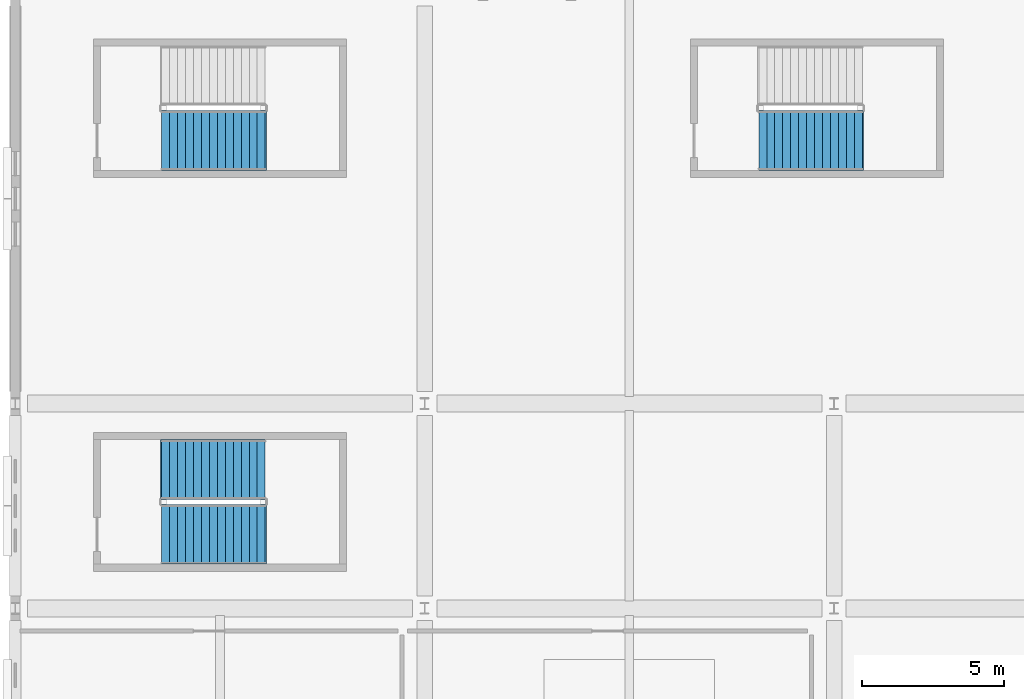
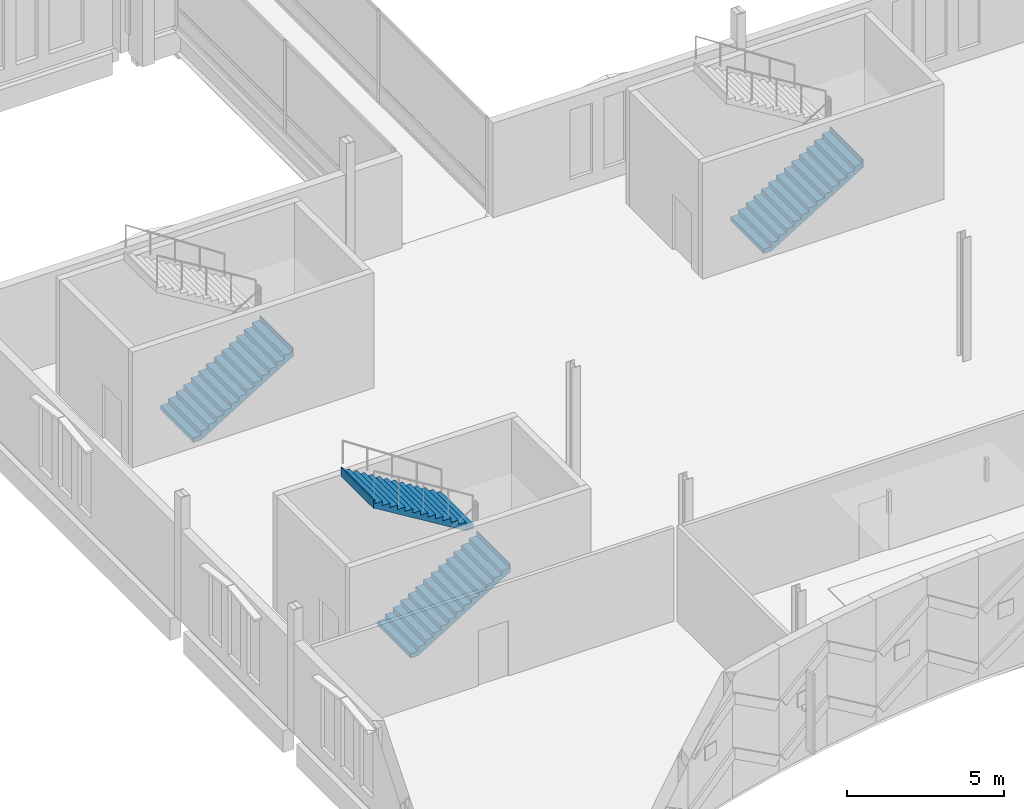
# One storey, part 184 of 220: 4 stair flights, 3 elements without a shape of their own.
"""IFC4 building model written with IfcOpenShell, lengths in metres."""

from ifc_helpers import new_model, si_unit, direction, frame, origin, place, context, subcontext, project, spatial, triangles, material, type_object, element, aggregate, save


model = new_model("IFC4")

# Units and contexts
model_context = context("Model", 3, precision=1e-05, world=origin(), true_north=direction((0.0, 1.0)))
body_context = subcontext(model_context, "Body", "Model", "MODEL_VIEW")
ifc_project = project(units=[si_unit("LENGTHUNIT", "METRE"), si_unit("AREAUNIT", "SQUARE_METRE"), si_unit("VOLUMEUNIT", "CUBIC_METRE"), si_unit("PLANEANGLEUNIT", "RADIAN"), si_unit("MASSUNIT", "GRAM", prefix="KILO")], contexts=[model_context])

# Site, building, storey
site_placement = place(None, origin())
site = spatial("IfcSite", under=ifc_project, at=site_placement, CompositionType="ELEMENT")
building_placement = place(site_placement, origin())
building = spatial("IfcBuilding", under=site, at=building_placement, Name="Cendralis Lancet Convention Centre", CompositionType="ELEMENT")
storey_placement = place(building_placement, frame((0.0, 0.0, 5.39990234375)))
storey = spatial("IfcBuildingStorey", under=building, at=storey_placement, Name="L01", CompositionType="ELEMENT", Elevation=5.39990234375)

# Stair, stair flight
ifc_material = material(Name="Concrete G35 (C35/45)", Category="concrete")
stair_type = type_object("IfcStairType", Name="ARC-ST-CORE", PredefinedType="HALF_TURN_STAIR", material=ifc_material)
stair_1_placement = place(storey_placement, origin())
stair_1 = element("IfcStair", 1, at=stair_1_placement, inside=storey, type_object=stair_type, Name="L01 Protected Exit Stair ST-11", PredefinedType="HALF_TURN_STAIR")
stair_flight_type = type_object("IfcStairFlightType", Name="ARC-SF-CORE", PredefinedType="STRAIGHT", material=ifc_material)
stair_flight_1_placement = place(storey_placement, frame((26.14990234375, 30.85009765625, 0.0), z_axis=(0.0, 0.0, 1.0), x_axis=(1.0, 0.0, 0.0)))
stair_flight_1 = element("IfcStairFlight", 2, at=stair_flight_1_placement, type_object=stair_flight_type, Name="ST-11 flight 1", NumberOfRisers=14, NumberOfTreads=13, PredefinedType="STRAIGHT", RiserHeight=0.171428571, TreadLength=0.28, context=body_context, shape_type="Tessellation", body=[
    triangles([(0.0, 0.0, 0.085714), (0.0, 1.050049, 0.0), (0.0, -1.050049, 0.0), (0.0, -1.050049, 0.171429), (0.0, 1.050049, 0.171429), (0.14, 0.0, 0.171429), (0.28, -1.050049, 0.171429), (0.28, 1.050049, 0.171429), (0.14, 0.0, 0.0), (0.28, -1.050049, 0.0), (0.28, 1.050049, 0.0), (0.28, 0.0, 0.257143), (0.28, -1.050049, 0.342857), (0.28, 1.050049, 0.342857), (0.283543, 0.0, 0.342857), (0.287085, -1.050049, 0.342857), (0.287085, 1.050049, 0.342857), (0.283543, 0.0, 0.0), (0.287085, -1.050049, 0.0), (0.287085, 1.050049, 0.0), (0.423543, 0.0, 0.342857), (0.56, -1.050049, 0.342857), (0.56, 1.050049, 0.342857), (0.423543, 0.0, 0.083545), (0.56, -1.050049, 0.167091), (0.56, 1.050049, 0.167091), (0.56, 0.0, 0.428572), (0.56, -1.050049, 0.514286), (0.56, 1.050049, 0.514286), (0.7, 0.0, 0.514286), (0.84, -1.050049, 0.514286), (0.84, 1.050049, 0.514286), (0.7, 0.0, 0.252806), (0.84, -1.050049, 0.33852), (0.84, 1.050049, 0.33852), (0.84, 0.0, 0.6), (0.84, -1.050049, 0.685714), (0.84, 1.050049, 0.685714), (0.98, 0.0, 0.685714), (1.12, -1.050049, 0.685714), (1.12, 1.050049, 0.685714), (0.98, 0.0, 0.424234), (1.12, -1.050049, 0.509948), (1.12, 1.050049, 0.509948), (1.12, 0.0, 0.771429), (1.12, -1.050049, 0.857143), (1.12, 1.050049, 0.857143), (1.26, 0.0, 0.857143), (1.4, -1.050049, 0.857143), (1.4, 1.050049, 0.857143), (1.26, 0.0, 0.595662), (1.4, -1.050049, 0.681377), (1.4, 1.050049, 0.681377), (1.4, 0.0, 0.942857), (1.4, -1.050049, 1.028571), (1.4, 1.050049, 1.028571), (1.54, 0.0, 1.028571), (1.68, -1.050049, 1.028571), (1.68, 1.050049, 1.028571), (1.54, 0.0, 0.767091), (1.68, -1.050049, 0.852805), (1.68, 1.050049, 0.852805), (1.68, 0.0, 1.114286), (1.68, -1.050049, 1.2), (1.68, 1.050049, 1.2), (1.82, 0.0, 1.2), (1.96, -1.050049, 1.2), (1.96, 1.050049, 1.2), (1.82, 0.0, 0.938519), (1.96, -1.050049, 1.024234), (1.96, 1.050049, 1.024234), (1.96, 0.0, 1.285715), (1.96, -1.050049, 1.371429), (1.96, 1.050049, 1.371429), (2.1, 0.0, 1.371429), (2.24, -1.050049, 1.371429), (2.24, 1.050049, 1.371429), (2.1, 0.0, 1.109948), (2.24, -1.050049, 1.195662), (2.24, 1.050049, 1.195662), (2.24, 0.0, 1.457143), (2.24, -1.050049, 1.542857), (2.24, 1.050049, 1.542857), (2.38, 0.0, 1.542857), (2.52, -1.050049, 1.542857), (2.52, 1.050049, 1.542857), (2.38, 0.0, 1.281376), (2.52, -1.050049, 1.367091), (2.52, 1.050049, 1.367091), (2.52, 0.0, 1.628572), (2.52, -1.050049, 1.714286), (2.52, 1.050049, 1.714286), (2.66, 0.0, 1.714286), (2.8, -1.050049, 1.714286), (2.8, 1.050049, 1.714286), (2.66, 0.0, 1.452806), (2.8, -1.050049, 1.53852), (2.8, 1.050049, 1.53852), (2.8, 0.0, 1.8), (2.8, -1.050049, 1.885714), (2.8, 1.050049, 1.885714), (2.94, 0.0, 1.885714), (3.08, -1.050049, 1.885714), (3.08, 1.050049, 1.885714), (2.94, 0.0, 1.624234), (3.08, -1.050049, 1.709948), (3.08, 1.050049, 1.709948), (3.08, 0.0, 1.971429), (3.08, -1.050049, 2.057143), (3.08, 1.050049, 2.057143), (3.22, 0.0, 2.057143), (3.36, -1.050049, 2.057143), (3.36, 1.050049, 2.057143), (3.22, 0.0, 1.795663), (3.36, -1.050049, 1.881377), (3.36, 1.050049, 1.881377), (3.36, 0.0, 2.142857), (3.36, -1.050049, 2.228571), (3.36, 1.050049, 2.228571), (3.5, 0.0, 2.228571), (3.64, -1.050049, 2.228571), (3.64, 1.050049, 2.228571), (3.5, 0.0, 1.967091), (3.64, -1.050049, 2.052805), (3.64, 1.050049, 2.052805), (3.64, 0.0, 2.314285), (3.64, -1.050049, 2.4), (3.64, 1.050049, 2.4), (3.66, 0.0, 2.4), (3.68, -1.050049, 2.4), (3.68, 1.050049, 2.4), (3.66, 0.0, 2.052805), (3.68, -1.050049, 2.052805), (3.68, 1.050049, 2.052805), (3.68, 0.0, 2.226403)], [[2, 3, 1], [3, 4, 1], [4, 5, 1], [5, 2, 1], [4, 7, 6], [7, 8, 6], [8, 5, 6], [5, 4, 6], [10, 3, 9], [3, 2, 9], [2, 11, 9], [11, 10, 9], [3, 10, 7], [3, 7, 4], [2, 8, 11], [2, 5, 8], [8, 7, 12], [7, 13, 12], [13, 14, 12], [14, 8, 12], [13, 16, 15], [16, 17, 15], [17, 14, 15], [14, 13, 15], [19, 10, 18], [10, 11, 18], [11, 20, 18], [20, 19, 18], [10, 19, 16], [10, 16, 7], [7, 16, 13], [11, 17, 20], [11, 8, 17], [8, 14, 17], [16, 22, 21], [22, 23, 21], [23, 17, 21], [17, 16, 21], [25, 19, 24], [19, 20, 24], [20, 26, 24], [26, 25, 24], [19, 25, 22], [19, 22, 16], [20, 23, 26], [20, 17, 23], [23, 22, 27], [22, 28, 27], [28, 29, 27], [29, 23, 27], [28, 31, 30], [31, 32, 30], [32, 29, 30], [29, 28, 30], [34, 25, 33], [25, 26, 33], [26, 35, 33], [35, 34, 33], [25, 34, 31], [25, 31, 22], [22, 31, 28], [26, 32, 35], [26, 23, 32], [23, 29, 32], [32, 31, 36], [31, 37, 36], [37, 38, 36], [38, 32, 36], [37, 40, 39], [40, 41, 39], [41, 38, 39], [38, 37, 39], [43, 34, 42], [34, 35, 42], [35, 44, 42], [44, 43, 42], [34, 43, 40], [34, 40, 31], [31, 40, 37], [35, 41, 44], [35, 32, 41], [32, 38, 41], [41, 40, 45], [40, 46, 45], [46, 47, 45], [47, 41, 45], [46, 49, 48], [49, 50, 48], [50, 47, 48], [47, 46, 48], [52, 43, 51], [43, 44, 51], [44, 53, 51], [53, 52, 51], [43, 52, 49], [43, 49, 40], [40, 49, 46], [44, 50, 53], [44, 41, 50], [41, 47, 50], [50, 49, 54], [49, 55, 54], [55, 56, 54], [56, 50, 54], [55, 58, 57], [58, 59, 57], [59, 56, 57], [56, 55, 57], [61, 52, 60], [52, 53, 60], [53, 62, 60], [62, 61, 60], [52, 61, 58], [52, 58, 49], [49, 58, 55], [53, 59, 62], [53, 50, 59], [50, 56, 59], [59, 58, 63], [58, 64, 63], [64, 65, 63], [65, 59, 63], [64, 67, 66], [67, 68, 66], [68, 65, 66], [65, 64, 66], [70, 61, 69], [61, 62, 69], [62, 71, 69], [71, 70, 69], [61, 70, 67], [61, 67, 58], [58, 67, 64], [62, 68, 71], [62, 59, 68], [59, 65, 68], [68, 67, 72], [67, 73, 72], [73, 74, 72], [74, 68, 72], [73, 76, 75], [76, 77, 75], [77, 74, 75], [74, 73, 75], [79, 70, 78], [70, 71, 78], [71, 80, 78], [80, 79, 78], [70, 79, 76], [70, 76, 67], [67, 76, 73], [71, 77, 80], [71, 68, 77], [68, 74, 77], [77, 76, 81], [76, 82, 81], [82, 83, 81], [83, 77, 81], [82, 85, 84], [85, 86, 84], [86, 83, 84], [83, 82, 84], [88, 79, 87], [79, 80, 87], [80, 89, 87], [89, 88, 87], [79, 88, 85], [79, 85, 76], [76, 85, 82], [80, 86, 89], [80, 77, 86], [77, 83, 86], [86, 85, 90], [85, 91, 90], [91, 92, 90], [92, 86, 90], [91, 94, 93], [94, 95, 93], [95, 92, 93], [92, 91, 93], [97, 88, 96], [88, 89, 96], [89, 98, 96], [98, 97, 96], [88, 97, 94], [88, 94, 85], [85, 94, 91], [89, 95, 98], [89, 86, 95], [86, 92, 95], [95, 94, 99], [94, 100, 99], [100, 101, 99], [101, 95, 99], [100, 103, 102], [103, 104, 102], [104, 101, 102], [101, 100, 102], [106, 97, 105], [97, 98, 105], [98, 107, 105], [107, 106, 105], [97, 106, 103], [97, 103, 94], [94, 103, 100], [98, 104, 107], [98, 95, 104], [95, 101, 104], [104, 103, 108], [103, 109, 108], [109, 110, 108], [110, 104, 108], [109, 112, 111], [112, 113, 111], [113, 110, 111], [110, 109, 111], [115, 106, 114], [106, 107, 114], [107, 116, 114], [116, 115, 114], [106, 115, 112], [106, 112, 103], [103, 112, 109], [107, 113, 116], [107, 104, 113], [104, 110, 113], [113, 112, 117], [112, 118, 117], [118, 119, 117], [119, 113, 117], [118, 121, 120], [121, 122, 120], [122, 119, 120], [119, 118, 120], [124, 115, 123], [115, 116, 123], [116, 125, 123], [125, 124, 123], [115, 124, 121], [115, 121, 112], [112, 121, 118], [116, 122, 125], [116, 113, 122], [113, 119, 122], [122, 121, 126], [121, 127, 126], [127, 128, 126], [128, 122, 126], [127, 130, 129], [130, 131, 129], [131, 128, 129], [128, 127, 129], [133, 124, 132], [124, 125, 132], [125, 134, 132], [134, 133, 132], [124, 133, 130], [124, 130, 121], [121, 130, 127], [125, 131, 134], [125, 122, 131], [122, 128, 131], [133, 134, 135], [134, 131, 135], [131, 130, 135], [130, 133, 135]], closed=True),
])
aggregate(stair_1, [stair_flight_1])

# Stair, stair flights
stair_2_placement = place(storey_placement, origin())
stair_2 = element("IfcStair", 3, at=stair_2_placement, inside=storey, type_object=stair_type, Name="L01 Protected Exit Stair ST-17", PredefinedType="HALF_TURN_STAIR")
stair_flight_2_placement = place(storey_placement, frame((5.14990234375, 17.0, 0.0), z_axis=(0.0, 0.0, 1.0), x_axis=(1.0, 0.0, 0.0)))
stair_flight_2 = element("IfcStairFlight", 4, at=stair_flight_2_placement, type_object=stair_flight_type, Name="ST-17 flight 1", NumberOfRisers=14, NumberOfTreads=13, PredefinedType="STRAIGHT", RiserHeight=0.171428571, TreadLength=0.28, context=body_context, shape_type="Tessellation", body=[
    triangles([(0.0, 0.0, 0.085714), (0.0, 1.050049, 0.0), (0.0, -1.050049, 0.0), (0.0, -1.050049, 0.171429), (0.0, 1.050049, 0.171429), (0.14, 0.0, 0.171429), (0.28, -1.050049, 0.171429), (0.28, 1.050049, 0.171429), (0.14, 0.0, 0.0), (0.28, -1.050049, 0.0), (0.28, 1.050049, 0.0), (0.28, 0.0, 0.257143), (0.28, -1.050049, 0.342857), (0.28, 1.050049, 0.342857), (0.283543, 0.0, 0.342857), (0.287085, -1.050049, 0.342857), (0.287085, 1.050049, 0.342857), (0.283543, 0.0, 0.0), (0.287085, -1.050049, 0.0), (0.287085, 1.050049, 0.0), (0.423543, 0.0, 0.342857), (0.56, -1.050049, 0.342857), (0.56, 1.050049, 0.342857), (0.423543, 0.0, 0.083545), (0.56, -1.050049, 0.167091), (0.56, 1.050049, 0.167091), (0.56, 0.0, 0.428572), (0.56, -1.050049, 0.514286), (0.56, 1.050049, 0.514286), (0.7, 0.0, 0.514286), (0.84, -1.050049, 0.514286), (0.84, 1.050049, 0.514286), (0.7, 0.0, 0.252806), (0.84, -1.050049, 0.33852), (0.84, 1.050049, 0.33852), (0.84, 0.0, 0.6), (0.84, -1.050049, 0.685714), (0.84, 1.050049, 0.685714), (0.98, 0.0, 0.685714), (1.12, -1.050049, 0.685714), (1.12, 1.050049, 0.685714), (0.98, 0.0, 0.424234), (1.12, -1.050049, 0.509948), (1.12, 1.050049, 0.509948), (1.12, 0.0, 0.771429), (1.12, -1.050049, 0.857143), (1.12, 1.050049, 0.857143), (1.26, 0.0, 0.857143), (1.4, -1.050049, 0.857143), (1.4, 1.050049, 0.857143), (1.26, 0.0, 0.595662), (1.4, -1.050049, 0.681377), (1.4, 1.050049, 0.681377), (1.4, 0.0, 0.942857), (1.4, -1.050049, 1.028571), (1.4, 1.050049, 1.028571), (1.54, 0.0, 1.028571), (1.68, -1.050049, 1.028571), (1.68, 1.050049, 1.028571), (1.54, 0.0, 0.767091), (1.68, -1.050049, 0.852805), (1.68, 1.050049, 0.852805), (1.68, 0.0, 1.114286), (1.68, -1.050049, 1.2), (1.68, 1.050049, 1.2), (1.82, 0.0, 1.2), (1.96, -1.050049, 1.2), (1.96, 1.050049, 1.2), (1.82, 0.0, 0.938519), (1.96, -1.050049, 1.024234), (1.96, 1.050049, 1.024234), (1.96, 0.0, 1.285715), (1.96, -1.050049, 1.371429), (1.96, 1.050049, 1.371429), (2.1, 0.0, 1.371429), (2.24, -1.050049, 1.371429), (2.24, 1.050049, 1.371429), (2.1, 0.0, 1.109948), (2.24, -1.050049, 1.195662), (2.24, 1.050049, 1.195662), (2.24, 0.0, 1.457143), (2.24, -1.050049, 1.542857), (2.24, 1.050049, 1.542857), (2.38, 0.0, 1.542857), (2.52, -1.050049, 1.542857), (2.52, 1.050049, 1.542857), (2.38, 0.0, 1.281376), (2.52, -1.050049, 1.367091), (2.52, 1.050049, 1.367091), (2.52, 0.0, 1.628572), (2.52, -1.050049, 1.714286), (2.52, 1.050049, 1.714286), (2.66, 0.0, 1.714286), (2.8, -1.050049, 1.714286), (2.8, 1.050049, 1.714286), (2.66, 0.0, 1.452806), (2.8, -1.050049, 1.53852), (2.8, 1.050049, 1.53852), (2.8, 0.0, 1.8), (2.8, -1.050049, 1.885714), (2.8, 1.050049, 1.885714), (2.94, 0.0, 1.885714), (3.08, -1.050049, 1.885714), (3.08, 1.050049, 1.885714), (2.94, 0.0, 1.624234), (3.08, -1.050049, 1.709948), (3.08, 1.050049, 1.709948), (3.08, 0.0, 1.971429), (3.08, -1.050049, 2.057143), (3.08, 1.050049, 2.057143), (3.22, 0.0, 2.057143), (3.36, -1.050049, 2.057143), (3.36, 1.050049, 2.057143), (3.22, 0.0, 1.795663), (3.36, -1.050049, 1.881377), (3.36, 1.050049, 1.881377), (3.36, 0.0, 2.142857), (3.36, -1.050049, 2.228571), (3.36, 1.050049, 2.228571), (3.5, 0.0, 2.228571), (3.64, -1.050049, 2.228571), (3.64, 1.050049, 2.228571), (3.5, 0.0, 1.967091), (3.64, -1.050049, 2.052805), (3.64, 1.050049, 2.052805), (3.64, 0.0, 2.314285), (3.64, -1.050049, 2.4), (3.64, 1.050049, 2.4), (3.66, 0.0, 2.4), (3.68, -1.050049, 2.4), (3.68, 1.050049, 2.4), (3.66, 0.0, 2.052805), (3.68, -1.050049, 2.052805), (3.68, 1.050049, 2.052805), (3.68, 0.0, 2.226403)], [[2, 3, 1], [3, 4, 1], [4, 5, 1], [5, 2, 1], [4, 7, 6], [7, 8, 6], [8, 5, 6], [5, 4, 6], [10, 3, 9], [3, 2, 9], [2, 11, 9], [11, 10, 9], [3, 10, 7], [3, 7, 4], [2, 8, 11], [2, 5, 8], [8, 7, 12], [7, 13, 12], [13, 14, 12], [14, 8, 12], [13, 16, 15], [16, 17, 15], [17, 14, 15], [14, 13, 15], [19, 10, 18], [10, 11, 18], [11, 20, 18], [20, 19, 18], [10, 19, 16], [10, 16, 7], [7, 16, 13], [11, 17, 20], [11, 8, 17], [8, 14, 17], [16, 22, 21], [22, 23, 21], [23, 17, 21], [17, 16, 21], [25, 19, 24], [19, 20, 24], [20, 26, 24], [26, 25, 24], [19, 25, 22], [19, 22, 16], [20, 23, 26], [20, 17, 23], [23, 22, 27], [22, 28, 27], [28, 29, 27], [29, 23, 27], [28, 31, 30], [31, 32, 30], [32, 29, 30], [29, 28, 30], [34, 25, 33], [25, 26, 33], [26, 35, 33], [35, 34, 33], [25, 34, 31], [25, 31, 22], [22, 31, 28], [26, 32, 35], [26, 23, 32], [23, 29, 32], [32, 31, 36], [31, 37, 36], [37, 38, 36], [38, 32, 36], [37, 40, 39], [40, 41, 39], [41, 38, 39], [38, 37, 39], [43, 34, 42], [34, 35, 42], [35, 44, 42], [44, 43, 42], [34, 43, 40], [34, 40, 31], [31, 40, 37], [35, 41, 44], [35, 32, 41], [32, 38, 41], [41, 40, 45], [40, 46, 45], [46, 47, 45], [47, 41, 45], [46, 49, 48], [49, 50, 48], [50, 47, 48], [47, 46, 48], [52, 43, 51], [43, 44, 51], [44, 53, 51], [53, 52, 51], [43, 52, 49], [43, 49, 40], [40, 49, 46], [44, 50, 53], [44, 41, 50], [41, 47, 50], [50, 49, 54], [49, 55, 54], [55, 56, 54], [56, 50, 54], [55, 58, 57], [58, 59, 57], [59, 56, 57], [56, 55, 57], [61, 52, 60], [52, 53, 60], [53, 62, 60], [62, 61, 60], [52, 61, 58], [52, 58, 49], [49, 58, 55], [53, 59, 62], [53, 50, 59], [50, 56, 59], [59, 58, 63], [58, 64, 63], [64, 65, 63], [65, 59, 63], [64, 67, 66], [67, 68, 66], [68, 65, 66], [65, 64, 66], [70, 61, 69], [61, 62, 69], [62, 71, 69], [71, 70, 69], [61, 70, 67], [61, 67, 58], [58, 67, 64], [62, 68, 71], [62, 59, 68], [59, 65, 68], [68, 67, 72], [67, 73, 72], [73, 74, 72], [74, 68, 72], [73, 76, 75], [76, 77, 75], [77, 74, 75], [74, 73, 75], [79, 70, 78], [70, 71, 78], [71, 80, 78], [80, 79, 78], [70, 79, 76], [70, 76, 67], [67, 76, 73], [71, 77, 80], [71, 68, 77], [68, 74, 77], [77, 76, 81], [76, 82, 81], [82, 83, 81], [83, 77, 81], [82, 85, 84], [85, 86, 84], [86, 83, 84], [83, 82, 84], [88, 79, 87], [79, 80, 87], [80, 89, 87], [89, 88, 87], [79, 88, 85], [79, 85, 76], [76, 85, 82], [80, 86, 89], [80, 77, 86], [77, 83, 86], [86, 85, 90], [85, 91, 90], [91, 92, 90], [92, 86, 90], [91, 94, 93], [94, 95, 93], [95, 92, 93], [92, 91, 93], [97, 88, 96], [88, 89, 96], [89, 98, 96], [98, 97, 96], [88, 97, 94], [88, 94, 85], [85, 94, 91], [89, 95, 98], [89, 86, 95], [86, 92, 95], [95, 94, 99], [94, 100, 99], [100, 101, 99], [101, 95, 99], [100, 103, 102], [103, 104, 102], [104, 101, 102], [101, 100, 102], [106, 97, 105], [97, 98, 105], [98, 107, 105], [107, 106, 105], [97, 106, 103], [97, 103, 94], [94, 103, 100], [98, 104, 107], [98, 95, 104], [95, 101, 104], [104, 103, 108], [103, 109, 108], [109, 110, 108], [110, 104, 108], [109, 112, 111], [112, 113, 111], [113, 110, 111], [110, 109, 111], [115, 106, 114], [106, 107, 114], [107, 116, 114], [116, 115, 114], [106, 115, 112], [106, 112, 103], [103, 112, 109], [107, 113, 116], [107, 104, 113], [104, 110, 113], [113, 112, 117], [112, 118, 117], [118, 119, 117], [119, 113, 117], [118, 121, 120], [121, 122, 120], [122, 119, 120], [119, 118, 120], [124, 115, 123], [115, 116, 123], [116, 125, 123], [125, 124, 123], [115, 124, 121], [115, 121, 112], [112, 121, 118], [116, 122, 125], [116, 113, 122], [113, 119, 122], [122, 121, 126], [121, 127, 126], [127, 128, 126], [128, 122, 126], [127, 130, 129], [130, 131, 129], [131, 128, 129], [128, 127, 129], [133, 124, 132], [124, 125, 132], [125, 134, 132], [134, 133, 132], [124, 133, 130], [124, 130, 121], [121, 130, 127], [125, 131, 134], [125, 122, 131], [122, 128, 131], [133, 134, 135], [134, 131, 135], [131, 130, 135], [130, 133, 135]], closed=True),
])
stair_flight_3_placement = place(storey_placement, frame((8.7900390625, 19.280029296875, 2.400146484375), z_axis=(0.0, 0.0, 1.0), x_axis=(-1.0, 0.0, 0.0)))
stair_flight_3 = element("IfcStairFlight", 5, at=stair_flight_3_placement, type_object=stair_flight_type, Name="ST-17 flight 2", NumberOfRisers=14, NumberOfTreads=13, PredefinedType="STRAIGHT", RiserHeight=0.171428571, TreadLength=0.28, context=body_context, shape_type="Tessellation", body=[
    triangles([(0.0, 0.0, 0.085714), (0.0, 1.050049, 0.0), (0.0, -1.050049, 0.0), (0.0, -1.050049, 0.171429), (0.0, 1.050049, 0.171429), (0.14, 0.0, 0.171429), (0.28, -1.050049, 0.171429), (0.28, 1.050049, 0.171429), (0.14, 0.0, 0.0), (0.28, -1.050049, 0.0), (0.28, 1.050049, 0.0), (0.28, 0.0, 0.257143), (0.28, -1.050049, 0.342857), (0.28, 1.050049, 0.342857), (0.283543, 0.0, 0.342857), (0.287085, -1.050049, 0.342857), (0.287085, 1.050049, 0.342857), (0.283543, 0.0, 0.0), (0.287085, -1.050049, 0.0), (0.287085, 1.050049, 0.0), (0.423543, 0.0, 0.342857), (0.56, -1.050049, 0.342857), (0.56, 1.050049, 0.342857), (0.423543, 0.0, 0.083545), (0.56, -1.050049, 0.167091), (0.56, 1.050049, 0.167091), (0.56, 0.0, 0.428572), (0.56, -1.050049, 0.514286), (0.56, 1.050049, 0.514286), (0.7, 0.0, 0.514286), (0.84, -1.050049, 0.514286), (0.84, 1.050049, 0.514286), (0.7, 0.0, 0.252806), (0.84, -1.050049, 0.33852), (0.84, 1.050049, 0.33852), (0.84, 0.0, 0.6), (0.84, -1.050049, 0.685714), (0.84, 1.050049, 0.685714), (0.98, 0.0, 0.685714), (1.12, -1.050049, 0.685714), (1.12, 1.050049, 0.685714), (0.98, 0.0, 0.424234), (1.12, -1.050049, 0.509948), (1.12, 1.050049, 0.509948), (1.12, 0.0, 0.771429), (1.12, -1.050049, 0.857143), (1.12, 1.050049, 0.857143), (1.26, 0.0, 0.857143), (1.4, -1.050049, 0.857143), (1.4, 1.050049, 0.857143), (1.26, 0.0, 0.595662), (1.4, -1.050049, 0.681377), (1.4, 1.050049, 0.681377), (1.4, 0.0, 0.942857), (1.4, -1.050049, 1.028571), (1.4, 1.050049, 1.028571), (1.54, 0.0, 1.028571), (1.68, -1.050049, 1.028571), (1.68, 1.050049, 1.028571), (1.54, 0.0, 0.767091), (1.68, -1.050049, 0.852805), (1.68, 1.050049, 0.852805), (1.68, 0.0, 1.114286), (1.68, -1.050049, 1.2), (1.68, 1.050049, 1.2), (1.82, 0.0, 1.2), (1.96, -1.050049, 1.2), (1.96, 1.050049, 1.2), (1.82, 0.0, 0.938519), (1.96, -1.050049, 1.024234), (1.96, 1.050049, 1.024234), (1.96, 0.0, 1.285715), (1.96, -1.050049, 1.371429), (1.96, 1.050049, 1.371429), (2.1, 0.0, 1.371429), (2.24, -1.050049, 1.371429), (2.24, 1.050049, 1.371429), (2.1, 0.0, 1.109948), (2.24, -1.050049, 1.195662), (2.24, 1.050049, 1.195662), (2.24, 0.0, 1.457143), (2.24, -1.050049, 1.542857), (2.24, 1.050049, 1.542857), (2.38, 0.0, 1.542857), (2.52, -1.050049, 1.542857), (2.52, 1.050049, 1.542857), (2.38, 0.0, 1.281376), (2.52, -1.050049, 1.367091), (2.52, 1.050049, 1.367091), (2.52, 0.0, 1.628572), (2.52, -1.050049, 1.714286), (2.52, 1.050049, 1.714286), (2.66, 0.0, 1.714286), (2.8, -1.050049, 1.714286), (2.8, 1.050049, 1.714286), (2.66, 0.0, 1.452806), (2.8, -1.050049, 1.53852), (2.8, 1.050049, 1.53852), (2.8, 0.0, 1.8), (2.8, -1.050049, 1.885714), (2.8, 1.050049, 1.885714), (2.94, 0.0, 1.885714), (3.08, -1.050049, 1.885714), (3.08, 1.050049, 1.885714), (2.94, 0.0, 1.624234), (3.08, -1.050049, 1.709948), (3.08, 1.050049, 1.709948), (3.08, 0.0, 1.971429), (3.08, -1.050049, 2.057143), (3.08, 1.050049, 2.057143), (3.22, 0.0, 2.057143), (3.36, -1.050049, 2.057143), (3.36, 1.050049, 2.057143), (3.22, 0.0, 1.795663), (3.36, -1.050049, 1.881377), (3.36, 1.050049, 1.881377), (3.36, 0.0, 2.142857), (3.36, -1.050049, 2.228571), (3.36, 1.050049, 2.228571), (3.5, 0.0, 2.228571), (3.64, -1.050049, 2.228571), (3.64, 1.050049, 2.228571), (3.5, 0.0, 1.967091), (3.64, -1.050049, 2.052805), (3.64, 1.050049, 2.052805), (3.64, 0.0, 2.314285), (3.64, -1.050049, 2.4), (3.64, 1.050049, 2.4), (3.66, 0.0, 2.4), (3.68, -1.050049, 2.4), (3.68, 1.050049, 2.4), (3.66, 0.0, 2.052805), (3.68, -1.050049, 2.052805), (3.68, 1.050049, 2.052805), (3.68, 0.0, 2.226403)], [[2, 3, 1], [3, 4, 1], [4, 5, 1], [5, 2, 1], [4, 7, 6], [7, 8, 6], [8, 5, 6], [5, 4, 6], [10, 3, 9], [3, 2, 9], [2, 11, 9], [11, 10, 9], [3, 10, 7], [3, 7, 4], [2, 8, 11], [2, 5, 8], [8, 7, 12], [7, 13, 12], [13, 14, 12], [14, 8, 12], [13, 16, 15], [16, 17, 15], [17, 14, 15], [14, 13, 15], [19, 10, 18], [10, 11, 18], [11, 20, 18], [20, 19, 18], [10, 19, 16], [10, 16, 7], [7, 16, 13], [11, 17, 20], [11, 8, 17], [8, 14, 17], [16, 22, 21], [22, 23, 21], [23, 17, 21], [17, 16, 21], [25, 19, 24], [19, 20, 24], [20, 26, 24], [26, 25, 24], [19, 25, 22], [19, 22, 16], [20, 23, 26], [20, 17, 23], [23, 22, 27], [22, 28, 27], [28, 29, 27], [29, 23, 27], [28, 31, 30], [31, 32, 30], [32, 29, 30], [29, 28, 30], [34, 25, 33], [25, 26, 33], [26, 35, 33], [35, 34, 33], [25, 34, 31], [25, 31, 22], [22, 31, 28], [26, 32, 35], [26, 23, 32], [23, 29, 32], [32, 31, 36], [31, 37, 36], [37, 38, 36], [38, 32, 36], [37, 40, 39], [40, 41, 39], [41, 38, 39], [38, 37, 39], [43, 34, 42], [34, 35, 42], [35, 44, 42], [44, 43, 42], [34, 43, 40], [34, 40, 31], [31, 40, 37], [35, 41, 44], [35, 32, 41], [32, 38, 41], [41, 40, 45], [40, 46, 45], [46, 47, 45], [47, 41, 45], [46, 49, 48], [49, 50, 48], [50, 47, 48], [47, 46, 48], [52, 43, 51], [43, 44, 51], [44, 53, 51], [53, 52, 51], [43, 52, 49], [43, 49, 40], [40, 49, 46], [44, 50, 53], [44, 41, 50], [41, 47, 50], [50, 49, 54], [49, 55, 54], [55, 56, 54], [56, 50, 54], [55, 58, 57], [58, 59, 57], [59, 56, 57], [56, 55, 57], [61, 52, 60], [52, 53, 60], [53, 62, 60], [62, 61, 60], [52, 61, 58], [52, 58, 49], [49, 58, 55], [53, 59, 62], [53, 50, 59], [50, 56, 59], [59, 58, 63], [58, 64, 63], [64, 65, 63], [65, 59, 63], [64, 67, 66], [67, 68, 66], [68, 65, 66], [65, 64, 66], [70, 61, 69], [61, 62, 69], [62, 71, 69], [71, 70, 69], [61, 70, 67], [61, 67, 58], [58, 67, 64], [62, 68, 71], [62, 59, 68], [59, 65, 68], [68, 67, 72], [67, 73, 72], [73, 74, 72], [74, 68, 72], [73, 76, 75], [76, 77, 75], [77, 74, 75], [74, 73, 75], [79, 70, 78], [70, 71, 78], [71, 80, 78], [80, 79, 78], [70, 79, 76], [70, 76, 67], [67, 76, 73], [71, 77, 80], [71, 68, 77], [68, 74, 77], [77, 76, 81], [76, 82, 81], [82, 83, 81], [83, 77, 81], [82, 85, 84], [85, 86, 84], [86, 83, 84], [83, 82, 84], [88, 79, 87], [79, 80, 87], [80, 89, 87], [89, 88, 87], [79, 88, 85], [79, 85, 76], [76, 85, 82], [80, 86, 89], [80, 77, 86], [77, 83, 86], [86, 85, 90], [85, 91, 90], [91, 92, 90], [92, 86, 90], [91, 94, 93], [94, 95, 93], [95, 92, 93], [92, 91, 93], [97, 88, 96], [88, 89, 96], [89, 98, 96], [98, 97, 96], [88, 97, 94], [88, 94, 85], [85, 94, 91], [89, 95, 98], [89, 86, 95], [86, 92, 95], [95, 94, 99], [94, 100, 99], [100, 101, 99], [101, 95, 99], [100, 103, 102], [103, 104, 102], [104, 101, 102], [101, 100, 102], [106, 97, 105], [97, 98, 105], [98, 107, 105], [107, 106, 105], [97, 106, 103], [97, 103, 94], [94, 103, 100], [98, 104, 107], [98, 95, 104], [95, 101, 104], [104, 103, 108], [103, 109, 108], [109, 110, 108], [110, 104, 108], [109, 112, 111], [112, 113, 111], [113, 110, 111], [110, 109, 111], [115, 106, 114], [106, 107, 114], [107, 116, 114], [116, 115, 114], [106, 115, 112], [106, 112, 103], [103, 112, 109], [107, 113, 116], [107, 104, 113], [104, 110, 113], [113, 112, 117], [112, 118, 117], [118, 119, 117], [119, 113, 117], [118, 121, 120], [121, 122, 120], [122, 119, 120], [119, 118, 120], [124, 115, 123], [115, 116, 123], [116, 125, 123], [125, 124, 123], [115, 124, 121], [115, 121, 112], [112, 121, 118], [116, 122, 125], [116, 113, 122], [113, 119, 122], [122, 121, 126], [121, 127, 126], [127, 128, 126], [128, 122, 126], [127, 130, 129], [130, 131, 129], [131, 128, 129], [128, 127, 129], [133, 124, 132], [124, 125, 132], [125, 134, 132], [134, 133, 132], [124, 133, 130], [124, 130, 121], [121, 130, 127], [125, 131, 134], [125, 122, 131], [122, 128, 131], [133, 134, 135], [134, 131, 135], [131, 130, 135], [130, 133, 135]], closed=True),
])
aggregate(stair_2, [stair_flight_2, stair_flight_3])

# Stair, stair flight
stair_3_placement = place(storey_placement, origin())
stair_3 = element("IfcStair", 6, at=stair_3_placement, inside=storey, type_object=stair_type, Name="L01 Protected Exit Stair ST-20", PredefinedType="HALF_TURN_STAIR")
stair_flight_4_placement = place(storey_placement, frame((5.14990234375, 30.85009765625, 0.0), z_axis=(0.0, 0.0, 1.0), x_axis=(1.0, 0.0, 0.0)))
stair_flight_4 = element("IfcStairFlight", 7, at=stair_flight_4_placement, type_object=stair_flight_type, Name="ST-20 flight 1", NumberOfRisers=14, NumberOfTreads=13, PredefinedType="STRAIGHT", RiserHeight=0.171428571, TreadLength=0.28, context=body_context, shape_type="Tessellation", body=[
    triangles([(0.0, 0.0, 0.085714), (0.0, 1.050049, 0.0), (0.0, -1.050049, 0.0), (0.0, -1.050049, 0.171429), (0.0, 1.050049, 0.171429), (0.14, 0.0, 0.171429), (0.28, -1.050049, 0.171429), (0.28, 1.050049, 0.171429), (0.14, 0.0, 0.0), (0.28, -1.050049, 0.0), (0.28, 1.050049, 0.0), (0.28, 0.0, 0.257143), (0.28, -1.050049, 0.342857), (0.28, 1.050049, 0.342857), (0.283543, 0.0, 0.342857), (0.287085, -1.050049, 0.342857), (0.287085, 1.050049, 0.342857), (0.283543, 0.0, 0.0), (0.287085, -1.050049, 0.0), (0.287085, 1.050049, 0.0), (0.423543, 0.0, 0.342857), (0.56, -1.050049, 0.342857), (0.56, 1.050049, 0.342857), (0.423543, 0.0, 0.083545), (0.56, -1.050049, 0.167091), (0.56, 1.050049, 0.167091), (0.56, 0.0, 0.428572), (0.56, -1.050049, 0.514286), (0.56, 1.050049, 0.514286), (0.7, 0.0, 0.514286), (0.84, -1.050049, 0.514286), (0.84, 1.050049, 0.514286), (0.7, 0.0, 0.252806), (0.84, -1.050049, 0.33852), (0.84, 1.050049, 0.33852), (0.84, 0.0, 0.6), (0.84, -1.050049, 0.685714), (0.84, 1.050049, 0.685714), (0.98, 0.0, 0.685714), (1.12, -1.050049, 0.685714), (1.12, 1.050049, 0.685714), (0.98, 0.0, 0.424234), (1.12, -1.050049, 0.509948), (1.12, 1.050049, 0.509948), (1.12, 0.0, 0.771429), (1.12, -1.050049, 0.857143), (1.12, 1.050049, 0.857143), (1.26, 0.0, 0.857143), (1.4, -1.050049, 0.857143), (1.4, 1.050049, 0.857143), (1.26, 0.0, 0.595662), (1.4, -1.050049, 0.681377), (1.4, 1.050049, 0.681377), (1.4, 0.0, 0.942857), (1.4, -1.050049, 1.028571), (1.4, 1.050049, 1.028571), (1.54, 0.0, 1.028571), (1.68, -1.050049, 1.028571), (1.68, 1.050049, 1.028571), (1.54, 0.0, 0.767091), (1.68, -1.050049, 0.852805), (1.68, 1.050049, 0.852805), (1.68, 0.0, 1.114286), (1.68, -1.050049, 1.2), (1.68, 1.050049, 1.2), (1.82, 0.0, 1.2), (1.96, -1.050049, 1.2), (1.96, 1.050049, 1.2), (1.82, 0.0, 0.938519), (1.96, -1.050049, 1.024234), (1.96, 1.050049, 1.024234), (1.96, 0.0, 1.285715), (1.96, -1.050049, 1.371429), (1.96, 1.050049, 1.371429), (2.1, 0.0, 1.371429), (2.24, -1.050049, 1.371429), (2.24, 1.050049, 1.371429), (2.1, 0.0, 1.109948), (2.24, -1.050049, 1.195662), (2.24, 1.050049, 1.195662), (2.24, 0.0, 1.457143), (2.24, -1.050049, 1.542857), (2.24, 1.050049, 1.542857), (2.38, 0.0, 1.542857), (2.52, -1.050049, 1.542857), (2.52, 1.050049, 1.542857), (2.38, 0.0, 1.281376), (2.52, -1.050049, 1.367091), (2.52, 1.050049, 1.367091), (2.52, 0.0, 1.628572), (2.52, -1.050049, 1.714286), (2.52, 1.050049, 1.714286), (2.66, 0.0, 1.714286), (2.8, -1.050049, 1.714286), (2.8, 1.050049, 1.714286), (2.66, 0.0, 1.452806), (2.8, -1.050049, 1.53852), (2.8, 1.050049, 1.53852), (2.8, 0.0, 1.8), (2.8, -1.050049, 1.885714), (2.8, 1.050049, 1.885714), (2.94, 0.0, 1.885714), (3.08, -1.050049, 1.885714), (3.08, 1.050049, 1.885714), (2.94, 0.0, 1.624234), (3.08, -1.050049, 1.709948), (3.08, 1.050049, 1.709948), (3.08, 0.0, 1.971429), (3.08, -1.050049, 2.057143), (3.08, 1.050049, 2.057143), (3.22, 0.0, 2.057143), (3.36, -1.050049, 2.057143), (3.36, 1.050049, 2.057143), (3.22, 0.0, 1.795663), (3.36, -1.050049, 1.881377), (3.36, 1.050049, 1.881377), (3.36, 0.0, 2.142857), (3.36, -1.050049, 2.228571), (3.36, 1.050049, 2.228571), (3.5, 0.0, 2.228571), (3.64, -1.050049, 2.228571), (3.64, 1.050049, 2.228571), (3.5, 0.0, 1.967091), (3.64, -1.050049, 2.052805), (3.64, 1.050049, 2.052805), (3.64, 0.0, 2.314285), (3.64, -1.050049, 2.4), (3.64, 1.050049, 2.4), (3.66, 0.0, 2.4), (3.68, -1.050049, 2.4), (3.68, 1.050049, 2.4), (3.66, 0.0, 2.052805), (3.68, -1.050049, 2.052805), (3.68, 1.050049, 2.052805), (3.68, 0.0, 2.226403)], [[2, 3, 1], [3, 4, 1], [4, 5, 1], [5, 2, 1], [4, 7, 6], [7, 8, 6], [8, 5, 6], [5, 4, 6], [10, 3, 9], [3, 2, 9], [2, 11, 9], [11, 10, 9], [3, 10, 7], [3, 7, 4], [2, 8, 11], [2, 5, 8], [8, 7, 12], [7, 13, 12], [13, 14, 12], [14, 8, 12], [13, 16, 15], [16, 17, 15], [17, 14, 15], [14, 13, 15], [19, 10, 18], [10, 11, 18], [11, 20, 18], [20, 19, 18], [10, 19, 16], [10, 16, 7], [7, 16, 13], [11, 17, 20], [11, 8, 17], [8, 14, 17], [16, 22, 21], [22, 23, 21], [23, 17, 21], [17, 16, 21], [25, 19, 24], [19, 20, 24], [20, 26, 24], [26, 25, 24], [19, 25, 22], [19, 22, 16], [20, 23, 26], [20, 17, 23], [23, 22, 27], [22, 28, 27], [28, 29, 27], [29, 23, 27], [28, 31, 30], [31, 32, 30], [32, 29, 30], [29, 28, 30], [34, 25, 33], [25, 26, 33], [26, 35, 33], [35, 34, 33], [25, 34, 31], [25, 31, 22], [22, 31, 28], [26, 32, 35], [26, 23, 32], [23, 29, 32], [32, 31, 36], [31, 37, 36], [37, 38, 36], [38, 32, 36], [37, 40, 39], [40, 41, 39], [41, 38, 39], [38, 37, 39], [43, 34, 42], [34, 35, 42], [35, 44, 42], [44, 43, 42], [34, 43, 40], [34, 40, 31], [31, 40, 37], [35, 41, 44], [35, 32, 41], [32, 38, 41], [41, 40, 45], [40, 46, 45], [46, 47, 45], [47, 41, 45], [46, 49, 48], [49, 50, 48], [50, 47, 48], [47, 46, 48], [52, 43, 51], [43, 44, 51], [44, 53, 51], [53, 52, 51], [43, 52, 49], [43, 49, 40], [40, 49, 46], [44, 50, 53], [44, 41, 50], [41, 47, 50], [50, 49, 54], [49, 55, 54], [55, 56, 54], [56, 50, 54], [55, 58, 57], [58, 59, 57], [59, 56, 57], [56, 55, 57], [61, 52, 60], [52, 53, 60], [53, 62, 60], [62, 61, 60], [52, 61, 58], [52, 58, 49], [49, 58, 55], [53, 59, 62], [53, 50, 59], [50, 56, 59], [59, 58, 63], [58, 64, 63], [64, 65, 63], [65, 59, 63], [64, 67, 66], [67, 68, 66], [68, 65, 66], [65, 64, 66], [70, 61, 69], [61, 62, 69], [62, 71, 69], [71, 70, 69], [61, 70, 67], [61, 67, 58], [58, 67, 64], [62, 68, 71], [62, 59, 68], [59, 65, 68], [68, 67, 72], [67, 73, 72], [73, 74, 72], [74, 68, 72], [73, 76, 75], [76, 77, 75], [77, 74, 75], [74, 73, 75], [79, 70, 78], [70, 71, 78], [71, 80, 78], [80, 79, 78], [70, 79, 76], [70, 76, 67], [67, 76, 73], [71, 77, 80], [71, 68, 77], [68, 74, 77], [77, 76, 81], [76, 82, 81], [82, 83, 81], [83, 77, 81], [82, 85, 84], [85, 86, 84], [86, 83, 84], [83, 82, 84], [88, 79, 87], [79, 80, 87], [80, 89, 87], [89, 88, 87], [79, 88, 85], [79, 85, 76], [76, 85, 82], [80, 86, 89], [80, 77, 86], [77, 83, 86], [86, 85, 90], [85, 91, 90], [91, 92, 90], [92, 86, 90], [91, 94, 93], [94, 95, 93], [95, 92, 93], [92, 91, 93], [97, 88, 96], [88, 89, 96], [89, 98, 96], [98, 97, 96], [88, 97, 94], [88, 94, 85], [85, 94, 91], [89, 95, 98], [89, 86, 95], [86, 92, 95], [95, 94, 99], [94, 100, 99], [100, 101, 99], [101, 95, 99], [100, 103, 102], [103, 104, 102], [104, 101, 102], [101, 100, 102], [106, 97, 105], [97, 98, 105], [98, 107, 105], [107, 106, 105], [97, 106, 103], [97, 103, 94], [94, 103, 100], [98, 104, 107], [98, 95, 104], [95, 101, 104], [104, 103, 108], [103, 109, 108], [109, 110, 108], [110, 104, 108], [109, 112, 111], [112, 113, 111], [113, 110, 111], [110, 109, 111], [115, 106, 114], [106, 107, 114], [107, 116, 114], [116, 115, 114], [106, 115, 112], [106, 112, 103], [103, 112, 109], [107, 113, 116], [107, 104, 113], [104, 110, 113], [113, 112, 117], [112, 118, 117], [118, 119, 117], [119, 113, 117], [118, 121, 120], [121, 122, 120], [122, 119, 120], [119, 118, 120], [124, 115, 123], [115, 116, 123], [116, 125, 123], [125, 124, 123], [115, 124, 121], [115, 121, 112], [112, 121, 118], [116, 122, 125], [116, 113, 122], [113, 119, 122], [122, 121, 126], [121, 127, 126], [127, 128, 126], [128, 122, 126], [127, 130, 129], [130, 131, 129], [131, 128, 129], [128, 127, 129], [133, 124, 132], [124, 125, 132], [125, 134, 132], [134, 133, 132], [124, 133, 130], [124, 130, 121], [121, 130, 127], [125, 131, 134], [125, 122, 131], [122, 128, 131], [133, 134, 135], [134, 131, 135], [131, 130, 135], [130, 133, 135]], closed=True),
])
aggregate(stair_3, [stair_flight_4])

save(model, "model.ifc")
